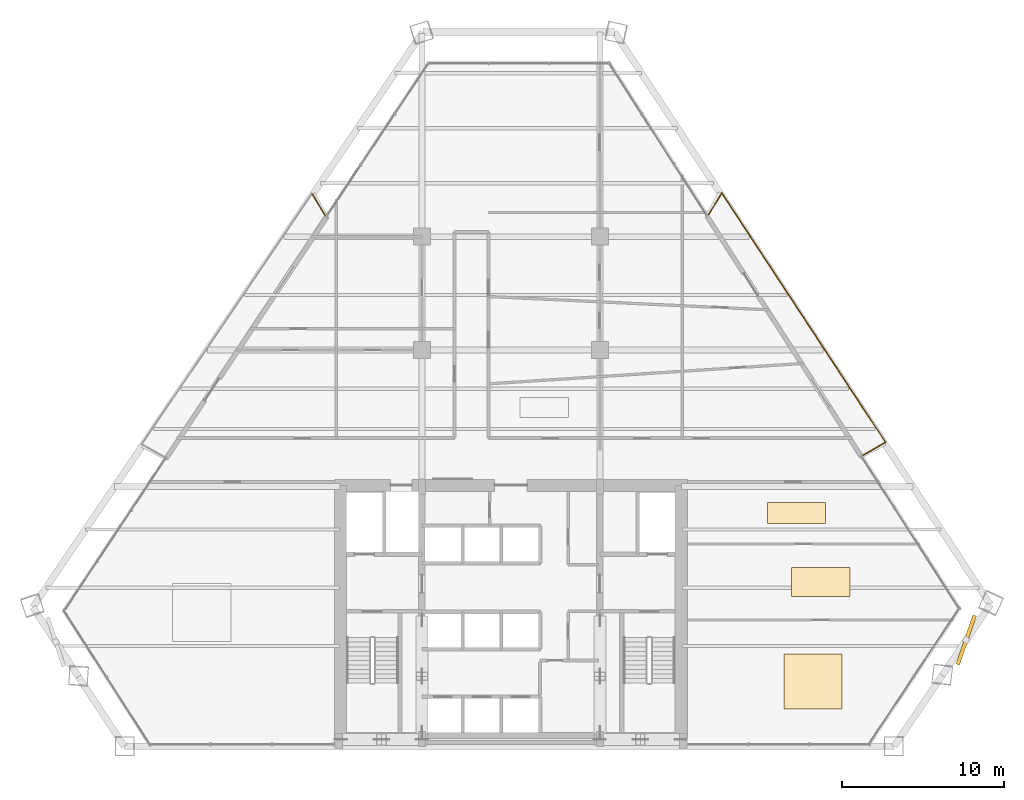
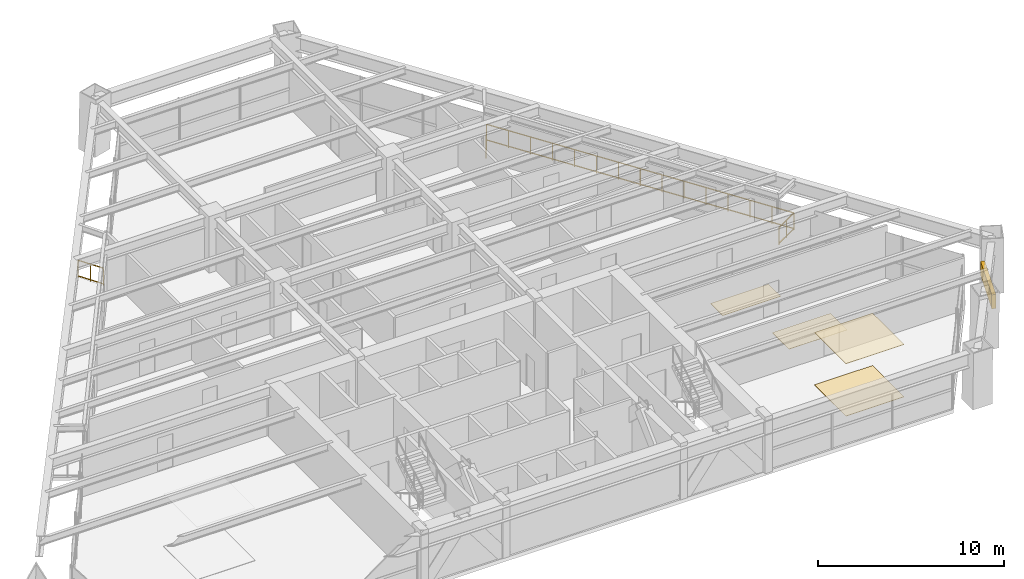
# One storey, part 14 of 14: 4 coverings, 4 railings, 1 shading device.
"""IFC4 building model written with IfcOpenShell, lengths in metres."""

from ifc_helpers import new_model, si_unit, direction, frame, origin, origin_2d, place, context, subcontext, project, spatial, rectangle, extrude, source, transform, mapped, material, layer, layer_set, type_object, type_shapes, element, save


model = new_model("IFC4")

# Units and contexts
model_context = context("Model", 3, precision=1e-05, world=origin(), true_north=direction((0.0, 1.0)))
body_context = subcontext(model_context, "Body", "Model", "MODEL_VIEW")
ifc_project = project(units=[si_unit("LENGTHUNIT", "METRE"), si_unit("AREAUNIT", "SQUARE_METRE"), si_unit("VOLUMEUNIT", "CUBIC_METRE"), si_unit("PLANEANGLEUNIT", "RADIAN"), si_unit("MASSUNIT", "GRAM", prefix="KILO")], contexts=[model_context])

# Site, building, storey
site_placement = place(None, origin())
site = spatial("IfcSite", under=ifc_project, at=site_placement, CompositionType="ELEMENT")
building_placement = place(site_placement, origin())
building = spatial("IfcBuilding", under=site, at=building_placement, Name="Varnakhor Terracotta Tower", CompositionType="ELEMENT")
storey_placement = place(building_placement, frame((0.0, 0.0, 113.60009765625)))
storey = spatial("IfcBuildingStorey", under=building, at=storey_placement, Name="L28", CompositionType="ELEMENT", Elevation=113.60009765625)

# Railings
ifc_material_1 = material(Name="Stainless Steel & Laminated Glass Guardrail", Category="steel")
railing_type = type_object("IfcRailingType", Name="RLG-LOGGIA-GUARD-1150", PredefinedType="GUARDRAIL", material=ifc_material_1)
railing_1_placement = place(storey_placement, frame((12.22412109375, 32.86474609375, 0.0)))
element("IfcRailing", 1, at=railing_1_placement, inside=storey, type_object=railing_type, Name="L28 E Loggia Glass Guard 1", PredefinedType="GUARDRAIL", context=body_context, shape_type="SweptSolid", body=[
    extrude(rectangle(XDim=0.048095703125, YDim=0.048095703125, at=origin_2d()), frame((0.0, 0.0, 1.1259765625), z_axis=(0.5195944962, 0.854412991192, 0.0), x_axis=(-0.854412991192, 0.5195944962, 0.0)), (0.0, 0.0, 1.0), 1.560546875),
    extrude(rectangle(XDim=0.048095703125, YDim=0.048095703125, at=origin_2d()), frame((0.0, 0.0, 0.10009765625), z_axis=(0.5195944962, 0.854412991192, 0.0), x_axis=(-0.854412991192, 0.5195944962, 0.0)), (0.0, 0.0, 1.0), 1.560546875),
    extrude(rectangle(XDim=0.0419921875, YDim=0.0419921875, at=origin_2d()), origin(), (0.0, 0.0, 1.0), 1.101806640625),
    extrude(rectangle(XDim=0.0419921875, YDim=0.0419921875, at=origin_2d()), frame((0.4052734375, 0.66650390625, 0.0)), (0.0, 0.0, 1.0), 1.101806640625),
    extrude(rectangle(XDim=0.0419921875, YDim=0.0419921875, at=origin_2d()), frame((0.810791015625, 1.333251953125, 0.0)), (0.0, 0.0, 1.0), 1.101806640625),
])
railing_2_placement = place(storey_placement, frame((13.034912109375, 34.197998046875, 0.0)))
element("IfcRailing", 2, at=railing_2_placement, inside=storey, type_object=railing_type, Name="L28 E Loggia Glass Guard 2", PredefinedType="GUARDRAIL", context=body_context, shape_type="SweptSolid", body=[
    extrude(rectangle(XDim=0.048095703125, YDim=0.048095703125, at=origin_2d()), frame((0.0, 0.0, 1.1259765625), z_axis=(0.549208803214, -0.83568516229, 0.0), x_axis=(0.83568516229, 0.549208803214, 0.0)), (0.0, 0.0, 1.0), 18.43603515625),
    extrude(rectangle(XDim=0.048095703125, YDim=0.048095703125, at=origin_2d()), frame((0.0, 0.0, 0.10009765625), z_axis=(0.549208803214, -0.83568516229, 0.0), x_axis=(0.83568516229, 0.549208803214, 0.0)), (0.0, 0.0, 1.0), 18.43603515625),
    extrude(rectangle(XDim=0.0419921875, YDim=0.0419921875, at=origin_2d()), origin(), (0.0, 0.0, 1.0), 1.101806640625),
    extrude(rectangle(XDim=0.0419921875, YDim=0.0419921875, at=origin_2d()), frame((0.72314453125, -1.1005859375, 0.0)), (0.0, 0.0, 1.0), 1.101806640625),
    extrude(rectangle(XDim=0.0419921875, YDim=0.0419921875, at=origin_2d()), frame((1.446533203125, -2.200927734375, 0.0)), (0.0, 0.0, 1.0), 1.101806640625),
    extrude(rectangle(XDim=0.0419921875, YDim=0.0419921875, at=origin_2d()), frame((2.169677734375, -3.301513671875, 0.0)), (0.0, 0.0, 1.0), 1.101806640625),
    extrude(rectangle(XDim=0.0419921875, YDim=0.0419921875, at=origin_2d()), frame((2.892822265625, -4.40185546875, 0.0)), (0.0, 0.0, 1.0), 1.101806640625),
    extrude(rectangle(XDim=0.0419921875, YDim=0.0419921875, at=origin_2d()), frame((3.6162109375, -5.50244140625, 0.0)), (0.0, 0.0, 1.0), 1.101806640625),
    extrude(rectangle(XDim=0.0419921875, YDim=0.0419921875, at=origin_2d()), frame((4.33935546875, -6.602783203125, 0.0)), (0.0, 0.0, 1.0), 1.101806640625),
    extrude(rectangle(XDim=0.0419921875, YDim=0.0419921875, at=origin_2d()), frame((5.0625, -7.703369140625, 0.0)), (0.0, 0.0, 1.0), 1.101806640625),
    extrude(rectangle(XDim=0.0419921875, YDim=0.0419921875, at=origin_2d()), frame((5.785888671875, -8.803955078125, 0.0)), (0.0, 0.0, 1.0), 1.101806640625),
    extrude(rectangle(XDim=0.0419921875, YDim=0.0419921875, at=origin_2d()), frame((6.509033203125, -9.904296875, 0.0)), (0.0, 0.0, 1.0), 1.101806640625),
    extrude(rectangle(XDim=0.0419921875, YDim=0.0419921875, at=origin_2d()), frame((7.232421875, -11.0048828125, 0.0)), (0.0, 0.0, 1.0), 1.101806640625),
    extrude(rectangle(XDim=0.0419921875, YDim=0.0419921875, at=origin_2d()), frame((7.95556640625, -12.105224609375, 0.0)), (0.0, 0.0, 1.0), 1.101806640625),
    extrude(rectangle(XDim=0.0419921875, YDim=0.0419921875, at=origin_2d()), frame((8.6787109375, -13.205810546875, 0.0)), (0.0, 0.0, 1.0), 1.101806640625),
    extrude(rectangle(XDim=0.0419921875, YDim=0.0419921875, at=origin_2d()), frame((9.402099609375, -14.30615234375, 0.0)), (0.0, 0.0, 1.0), 1.101806640625),
    extrude(rectangle(XDim=0.0419921875, YDim=0.0419921875, at=origin_2d()), frame((10.125244140625, -15.40673828125, 0.0)), (0.0, 0.0, 1.0), 1.101806640625),
])
railing_3_placement = place(storey_placement, frame((23.16015625, 18.791259765625, 0.0)))
element("IfcRailing", 3, at=railing_3_placement, inside=storey, type_object=railing_type, Name="L28 E Loggia Glass Guard 3", PredefinedType="GUARDRAIL", context=body_context, shape_type="SweptSolid", body=[
    extrude(rectangle(XDim=0.048095703125, YDim=0.048095703125, at=origin_2d()), frame((0.0, 0.0, 1.1259765625), z_axis=(-0.864699384211, -0.502289732071, 0.0), x_axis=(0.502289732071, -0.864699384211, 0.0)), (0.0, 0.0, 1.0), 1.60400390625),
    extrude(rectangle(XDim=0.048095703125, YDim=0.048095703125, at=origin_2d()), frame((0.0, 0.0, 0.10009765625), z_axis=(-0.864699384211, -0.502289732071, 0.0), x_axis=(0.502289732071, -0.864699384211, 0.0)), (0.0, 0.0, 1.0), 1.60400390625),
    extrude(rectangle(XDim=0.0419921875, YDim=0.0419921875, at=origin_2d()), origin(), (0.0, 0.0, 1.0), 1.101806640625),
    extrude(rectangle(XDim=0.0419921875, YDim=0.0419921875, at=origin_2d()), frame((-0.693359375, -0.40283203125, 0.0)), (0.0, 0.0, 1.0), 1.101806640625),
    extrude(rectangle(XDim=0.0419921875, YDim=0.0419921875, at=origin_2d()), frame((-1.386962890625, -0.8056640625, 0.0)), (0.0, 0.0, 1.0), 1.101806640625),
])
railing_4_placement = place(storey_placement, frame((-12.297119140625, 34.154541015625, 0.0)))
element("IfcRailing", 4, at=railing_4_placement, inside=storey, type_object=railing_type, Name="L28 W Loggia Glass Guard 3", PredefinedType="GUARDRAIL", context=body_context, shape_type="SweptSolid", body=[
    extrude(rectangle(XDim=0.048095703125, YDim=0.048095703125, at=origin_2d()), frame((0.0, 0.0, 1.1259765625), z_axis=(0.521196899821, -0.853436460211, 0.0), x_axis=(0.853436460211, 0.521196899821, 0.0)), (0.0, 0.0, 1.0), 1.560791015625),
    extrude(rectangle(XDim=0.048095703125, YDim=0.048095703125, at=origin_2d()), frame((0.0, 0.0, 0.10009765625), z_axis=(0.521196899821, -0.853436460211, 0.0), x_axis=(0.853436460211, 0.521196899821, 0.0)), (0.0, 0.0, 1.0), 1.560791015625),
    extrude(rectangle(XDim=0.0419921875, YDim=0.0419921875, at=origin_2d()), origin(), (0.0, 0.0, 1.0), 1.101806640625),
    extrude(rectangle(XDim=0.0419921875, YDim=0.0419921875, at=origin_2d()), frame((0.40673828125, -0.666015625, 0.0)), (0.0, 0.0, 1.0), 1.101806640625),
    extrude(rectangle(XDim=0.0419921875, YDim=0.0419921875, at=origin_2d()), frame((0.8134765625, -1.33203125, 0.0)), (0.0, 0.0, 1.0), 1.101806640625),
])

# Shading device
ifc_material_2 = material(Name="Extruded Architectural Terracotta Screen", Category="masonry")
shading_device_type = type_object("IfcShadingDeviceType", Name="TERRACOTTA SOLAR SCREEN E", PredefinedType="USERDEFINED", material=ifc_material_2)
shared_shape_1 = source(origin(), body_context, "Body", "SweptSolid", [
    extrude(rectangle(XDim=3.199951171875, YDim=0.239990234375, at=origin_2d()), origin(), (0.0, 0.0, 1.0), 0.919921875),
])
type_shapes(shading_device_type, [shared_shape_1])
shading_device_placement = place(storey_placement, frame((28.14404296875, 6.570068359375, 1.617919921875), z_axis=(0.0, 0.0, 1.0), x_axis=(0.327844540819, 0.944731685218, 0.0)))
element("IfcShadingDevice", 5, at=shading_device_placement, inside=storey, type_object=shading_device_type, Name="L28 E Terracotta Solar Screen", ObjectType="SCREEN", PredefinedType="USERDEFINED", context=body_context, shape_type="MappedRepresentation", body=[
    mapped(shared_shape_1, transform((0.0, 0.0, 0.0), scale=1.0)),
])

# Coverings
ifc_material_3 = material(Name="Honed Riyadh Limestone Flooring", Category="masonry")
ifc_layer_1 = layer(ifc_material_3, 0.030029296875, Name="Honed Riyadh Limestone Flooring")
ifc_layer_set_1 = layer_set([ifc_layer_1], Name="Honed Riyadh Limestone Flooring")
covering_type_1 = type_object("IfcCoveringType", Name="COV-FLOOR-LIMESTONE", PredefinedType="FLOORING", material=ifc_layer_set_1)
shared_shape_2 = source(origin(), body_context, "Body", "SweptSolid", [
    extrude(rectangle(XDim=3.60009765625, YDim=1.785888671875, at=origin_2d()), origin(), (0.0, 0.0, 1.0), 0.02001953125),
])
covering_1_placement = place(storey_placement, frame((19.155029296875, 10.14990234375, 0.0), z_axis=(0.0, 0.0, 1.0), x_axis=(1.0, 0.0, 0.0)))
element("IfcCovering", 6, at=covering_1_placement, inside=storey, type_object=covering_type_1, Name="L28 Honed Stone Flooring 3", PredefinedType="FLOORING", context=body_context, shape_type="MappedRepresentation", body=[
    mapped(shared_shape_2, transform((0.0, 0.0, 0.0), scale=1.0)),
])
shared_shape_3 = source(origin(), body_context, "Body", "SweptSolid", [
    extrude(rectangle(XDim=3.60009765625, YDim=3.37890625, at=origin_2d()), origin(), (0.0, 0.0, 1.0), 0.02001953125),
])
covering_2_placement = place(storey_placement, frame((18.672119140625, 4.001953125, 0.0), z_axis=(0.0, 0.0, 1.0), x_axis=(1.0, 0.0, 0.0)))
element("IfcCovering", 7, at=covering_2_placement, inside=storey, type_object=covering_type_1, Name="L28 Honed Stone Flooring 1", PredefinedType="FLOORING", context=body_context, shape_type="MappedRepresentation", body=[
    mapped(shared_shape_3, transform((0.0, 0.0, 0.0), scale=1.0)),
])
ifc_material_4 = material(Name="Perforated Acoustic Mineral-Fibre Ceiling", Category="gypsum")
ifc_layer_2 = layer(ifc_material_4, 0.02490234375, Name="Perforated Acoustic Mineral-Fibre Ceiling")
ifc_layer_set_2 = layer_set([ifc_layer_2], Name="Perforated Acoustic Mineral-Fibre Ceiling")
covering_type_2 = type_object("IfcCoveringType", Name="COV-CEILING-ACOUSTIC", PredefinedType="CEILING", material=ifc_layer_set_2)
shared_shape_4 = source(origin(), body_context, "Body", "SweptSolid", [
    extrude(rectangle(XDim=3.60009765625, YDim=3.37890625, at=origin_2d()), origin(), (0.0, 0.0, 1.0), 0.02392578125),
])
covering_3_placement = place(storey_placement, frame((18.672119140625, 4.001953125, 3.426025390625), z_axis=(0.0, 0.0, 1.0), x_axis=(1.0, 0.0, 0.0)))
element("IfcCovering", 8, at=covering_3_placement, inside=storey, type_object=covering_type_2, Name="L28 Acoustic Ceiling Panel 1", PredefinedType="CEILING", context=body_context, shape_type="MappedRepresentation", body=[
    mapped(shared_shape_4, transform((0.0, 0.0, 0.0), scale=1.0)),
])
shared_shape_5 = source(origin(), body_context, "Body", "SweptSolid", [
    extrude(rectangle(XDim=3.60009765625, YDim=1.306884765625, at=origin_2d()), origin(), (0.0, 0.0, 1.0), 0.02001953125),
])
covering_4_placement = place(storey_placement, frame((17.64599609375, 14.4140625, 0.0), z_axis=(0.0, 0.0, 1.0), x_axis=(1.0, 0.0, 0.0)))
element("IfcCovering", 9, at=covering_4_placement, inside=storey, type_object=covering_type_1, Name="L28 Honed Stone Flooring 4", PredefinedType="FLOORING", context=body_context, shape_type="MappedRepresentation", body=[
    mapped(shared_shape_5, transform((0.0, 0.0, 0.0), scale=1.0)),
])

save(model, "model.ifc")
